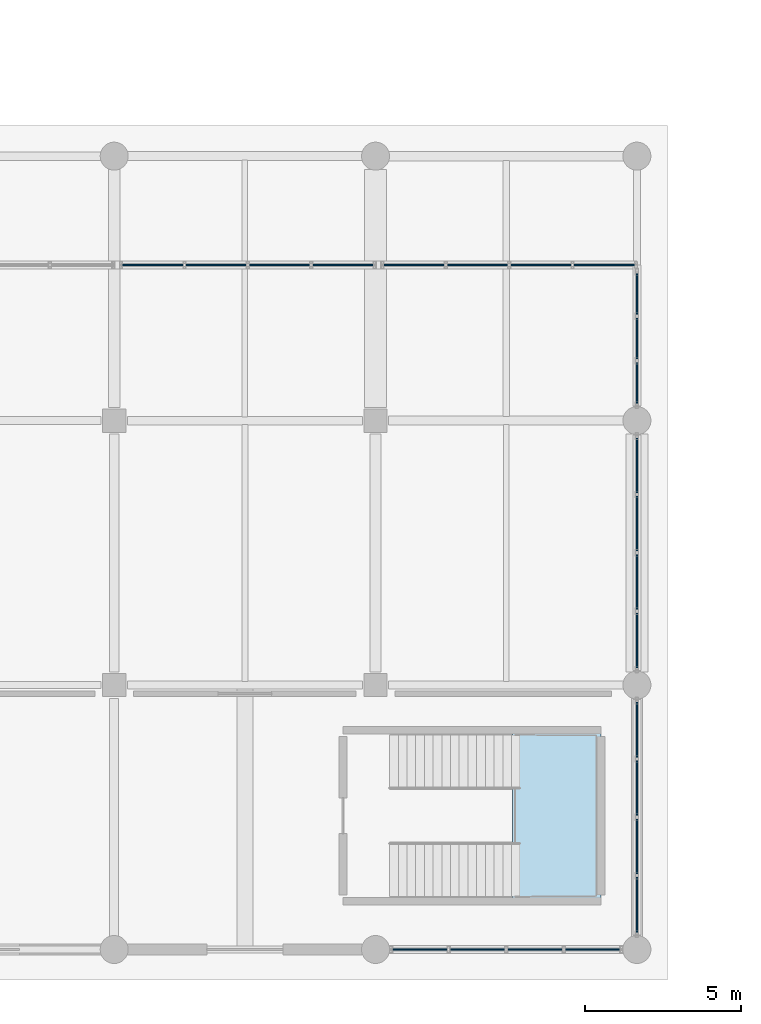
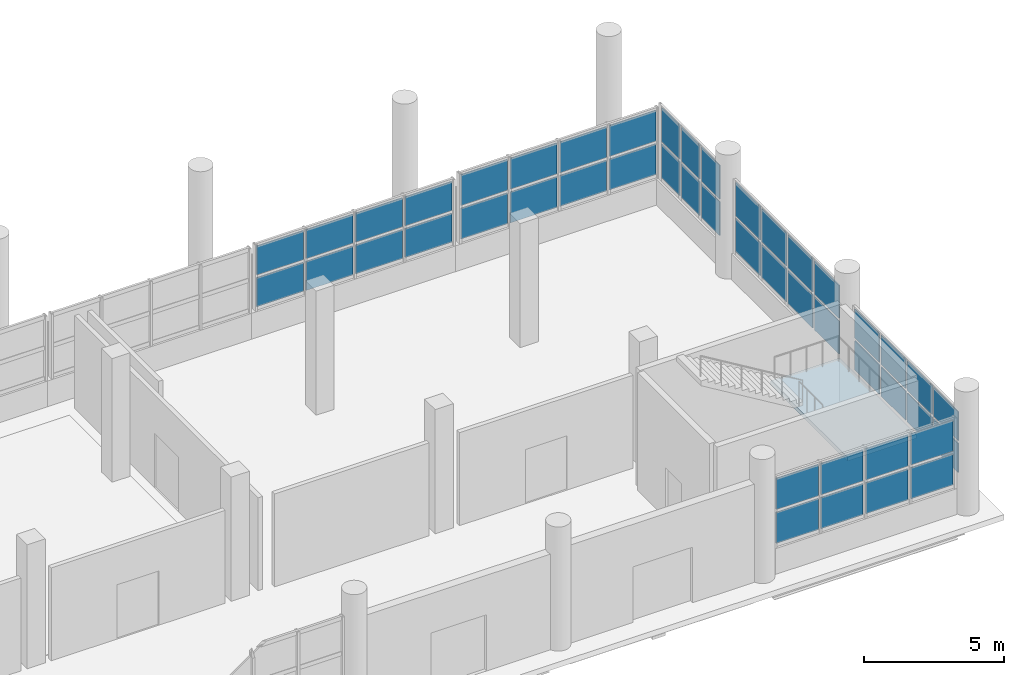
# One storey, part 82 of 107: 46 plates, 1 slab, 7 elements without a shape of their own.
"""IFC4 building model written with IfcOpenShell, lengths in metres."""

from ifc_helpers import new_model, si_unit, direction, frame, origin, origin_2d, place, context, subcontext, project, spatial, polyline, rectangle, outline, extrude, material, layer, layer_set, type_object, element, aggregate, save


model = new_model("IFC4")

# Units and contexts
model_context = context("Model", 3, precision=1e-05, world=origin(), true_north=direction((0.0, 1.0)))
body_context = subcontext(model_context, "Body", "Model", "MODEL_VIEW")
ifc_project = project(units=[si_unit("LENGTHUNIT", "METRE"), si_unit("AREAUNIT", "SQUARE_METRE"), si_unit("VOLUMEUNIT", "CUBIC_METRE"), si_unit("PLANEANGLEUNIT", "RADIAN"), si_unit("MASSUNIT", "GRAM", prefix="KILO")], contexts=[model_context])

# Site, building, storey
site_placement = place(None, origin())
site = spatial("IfcSite", under=ifc_project, at=site_placement, CompositionType="ELEMENT")
building_placement = place(site_placement, origin())
building = spatial("IfcBuilding", under=site, at=building_placement, Name="Solvento Point Concert Hall", CompositionType="ELEMENT")
storey_placement = place(building_placement, origin())
storey = spatial("IfcBuildingStorey", under=building, at=storey_placement, Name="L00", CompositionType="ELEMENT", Elevation=0.0)

# Curtain wall, plates
ifc_material_1 = material(Name="Anodized Bronze Aluminium", Category="aluminium")
curtain_wall_type = type_object("IfcCurtainWallType", Name="CurtainWall_CafeVeranda", PredefinedType="USERDEFINED", material=ifc_material_1)
curtain_wall_1_placement = place(storey_placement, origin())
curtain_wall_1 = element("IfcCurtainWall", 1, at=curtain_wall_1_placement, inside=storey, type_object=curtain_wall_type, Name="Unitised curtain wall CW-42 UCW-L00-044", ObjectType="UNITISED CURTAIN WALL", PredefinedType="USERDEFINED")
ifc_material_2 = material(Name="Hurricane Laminated Low-E Glass", Category="glass")
plate_type = type_object("IfcPlateType", Name="CurtainPanel_CafeVeranda", PredefinedType="CURTAIN_PANEL", material=ifc_material_2)
plate_1_placement = place(storey_placement, frame((193.23876953125, 22.0, 1.240234375), z_axis=(0.0, 0.0, 1.0), x_axis=(1.0, 0.0, 0.0)))
plate_1 = element("IfcPlate", 2, at=plate_1_placement, type_object=plate_type, Name="Glazed curtain panel GL-04", PredefinedType="CURTAIN_PANEL", context=body_context, shape_type="SweptSolid", body=[
    extrude(rectangle(XDim=1.91748046875, YDim=0.0400390625, at=origin_2d()), origin(), (0.0, 0.0, 1.0), 1.261962890625),
])
plate_2_placement = place(storey_placement, frame((193.23876953125, 22.0, 2.6220703125), z_axis=(0.0, 0.0, 1.0), x_axis=(1.0, 0.0, 0.0)))
plate_2 = element("IfcPlate", 3, at=plate_2_placement, type_object=plate_type, Name="Glazed curtain panel GL-04", PredefinedType="CURTAIN_PANEL", context=body_context, shape_type="SweptSolid", body=[
    extrude(rectangle(XDim=1.91748046875, YDim=0.0400390625, at=origin_2d()), origin(), (0.0, 0.0, 1.0), 1.261962890625),
])
plate_3_placement = place(storey_placement, frame((195.2763671875, 22.0, 1.240234375), z_axis=(0.0, 0.0, 1.0), x_axis=(1.0, 0.0, 0.0)))
plate_3 = element("IfcPlate", 4, at=plate_3_placement, type_object=plate_type, Name="Glazed curtain panel GL-04", PredefinedType="CURTAIN_PANEL", context=body_context, shape_type="SweptSolid", body=[
    extrude(rectangle(XDim=1.91748046875, YDim=0.0400390625, at=origin_2d()), origin(), (0.0, 0.0, 1.0), 1.261962890625),
])
plate_4_placement = place(storey_placement, frame((195.2763671875, 22.0, 2.6220703125), z_axis=(0.0, 0.0, 1.0), x_axis=(1.0, 0.0, 0.0)))
plate_4 = element("IfcPlate", 5, at=plate_4_placement, type_object=plate_type, Name="Glazed curtain panel GL-04", PredefinedType="CURTAIN_PANEL", context=body_context, shape_type="SweptSolid", body=[
    extrude(rectangle(XDim=1.91748046875, YDim=0.0400390625, at=origin_2d()), origin(), (0.0, 0.0, 1.0), 1.261962890625),
])
plate_5_placement = place(storey_placement, frame((197.313720703125, 22.0, 1.240234375), z_axis=(0.0, 0.0, 1.0), x_axis=(1.0, 0.0, 0.0)))
plate_5 = element("IfcPlate", 6, at=plate_5_placement, type_object=plate_type, Name="Glazed curtain panel GL-04", PredefinedType="CURTAIN_PANEL", context=body_context, shape_type="SweptSolid", body=[
    extrude(rectangle(XDim=1.91748046875, YDim=0.0400390625, at=origin_2d()), origin(), (0.0, 0.0, 1.0), 1.261962890625),
])
plate_6_placement = place(storey_placement, frame((197.313720703125, 22.0, 2.6220703125), z_axis=(0.0, 0.0, 1.0), x_axis=(1.0, 0.0, 0.0)))
plate_6 = element("IfcPlate", 7, at=plate_6_placement, type_object=plate_type, Name="Glazed curtain panel GL-04", PredefinedType="CURTAIN_PANEL", context=body_context, shape_type="SweptSolid", body=[
    extrude(rectangle(XDim=1.91748046875, YDim=0.0400390625, at=origin_2d()), origin(), (0.0, 0.0, 1.0), 1.261962890625),
])
plate_7_placement = place(storey_placement, frame((199.351318359375, 22.0, 1.240234375), z_axis=(0.0, 0.0, 1.0), x_axis=(1.0, 0.0, 0.0)))
plate_7 = element("IfcPlate", 8, at=plate_7_placement, type_object=plate_type, Name="Glazed curtain panel GL-04", PredefinedType="CURTAIN_PANEL", context=body_context, shape_type="SweptSolid", body=[
    extrude(rectangle(XDim=1.91748046875, YDim=0.0400390625, at=origin_2d()), origin(), (0.0, 0.0, 1.0), 1.261962890625),
])
plate_8_placement = place(storey_placement, frame((199.351318359375, 22.0, 2.6220703125), z_axis=(0.0, 0.0, 1.0), x_axis=(1.0, 0.0, 0.0)))
plate_8 = element("IfcPlate", 9, at=plate_8_placement, type_object=plate_type, Name="Glazed curtain panel GL-04", PredefinedType="CURTAIN_PANEL", context=body_context, shape_type="SweptSolid", body=[
    extrude(rectangle(XDim=1.91748046875, YDim=0.0400390625, at=origin_2d()), origin(), (0.0, 0.0, 1.0), 1.261962890625),
])
aggregate(curtain_wall_1, [plate_1, plate_2, plate_3, plate_4, plate_5, plate_6, plate_7, plate_8])

curtain_wall_2_placement = place(storey_placement, origin())
curtain_wall_2 = element("IfcCurtainWall", 10, at=curtain_wall_2_placement, inside=storey, type_object=curtain_wall_type, Name="Unitised curtain wall CW-42 UCW-L00-045", ObjectType="UNITISED CURTAIN WALL", PredefinedType="USERDEFINED")
plate_9_placement = place(storey_placement, frame((201.638916015625, 22.0, 1.23974609375), z_axis=(0.0, 0.0, 1.0), x_axis=(1.0, 0.0, 0.0)))
plate_9 = element("IfcPlate", 11, at=plate_9_placement, type_object=plate_type, Name="Glazed curtain panel GL-04", PredefinedType="CURTAIN_PANEL", context=body_context, shape_type="SweptSolid", body=[
    extrude(rectangle(XDim=1.91748046875, YDim=0.0400390625, at=origin_2d()), origin(), (0.0, 0.0, 1.0), 1.342041015625),
])
plate_10_placement = place(storey_placement, frame((201.638916015625, 22.0, 2.7021484375), z_axis=(0.0, 0.0, 1.0), x_axis=(1.0, 0.0, 0.0)))
plate_10 = element("IfcPlate", 12, at=plate_10_placement, type_object=plate_type, Name="Glazed curtain panel GL-04", PredefinedType="CURTAIN_PANEL", context=body_context, shape_type="SweptSolid", body=[
    extrude(rectangle(XDim=1.91748046875, YDim=0.0400390625, at=origin_2d()), origin(), (0.0, 0.0, 1.0), 1.342041015625),
])
plate_11_placement = place(storey_placement, frame((203.67626953125, 22.0, 1.23974609375), z_axis=(0.0, 0.0, 1.0), x_axis=(1.0, 0.0, 0.0)))
plate_11 = element("IfcPlate", 13, at=plate_11_placement, type_object=plate_type, Name="Glazed curtain panel GL-04", PredefinedType="CURTAIN_PANEL", context=body_context, shape_type="SweptSolid", body=[
    extrude(rectangle(XDim=1.91748046875, YDim=0.0400390625, at=origin_2d()), origin(), (0.0, 0.0, 1.0), 1.342041015625),
])
plate_12_placement = place(storey_placement, frame((203.67626953125, 22.0, 2.7021484375), z_axis=(0.0, 0.0, 1.0), x_axis=(1.0, 0.0, 0.0)))
plate_12 = element("IfcPlate", 14, at=plate_12_placement, type_object=plate_type, Name="Glazed curtain panel GL-04", PredefinedType="CURTAIN_PANEL", context=body_context, shape_type="SweptSolid", body=[
    extrude(rectangle(XDim=1.91748046875, YDim=0.0400390625, at=origin_2d()), origin(), (0.0, 0.0, 1.0), 1.342041015625),
])
plate_13_placement = place(storey_placement, frame((205.7138671875, 22.0, 1.23974609375), z_axis=(0.0, 0.0, 1.0), x_axis=(1.0, 0.0, 0.0)))
plate_13 = element("IfcPlate", 15, at=plate_13_placement, type_object=plate_type, Name="Glazed curtain panel GL-04", PredefinedType="CURTAIN_PANEL", context=body_context, shape_type="SweptSolid", body=[
    extrude(rectangle(XDim=1.91748046875, YDim=0.0400390625, at=origin_2d()), origin(), (0.0, 0.0, 1.0), 1.342041015625),
])
plate_14_placement = place(storey_placement, frame((205.7138671875, 22.0, 2.7021484375), z_axis=(0.0, 0.0, 1.0), x_axis=(1.0, 0.0, 0.0)))
plate_14 = element("IfcPlate", 16, at=plate_14_placement, type_object=plate_type, Name="Glazed curtain panel GL-04", PredefinedType="CURTAIN_PANEL", context=body_context, shape_type="SweptSolid", body=[
    extrude(rectangle(XDim=1.91748046875, YDim=0.0400390625, at=origin_2d()), origin(), (0.0, 0.0, 1.0), 1.342041015625),
])
plate_15_placement = place(storey_placement, frame((207.751220703125, 22.0, 1.23974609375), z_axis=(0.0, 0.0, 1.0), x_axis=(1.0, 0.0, 0.0)))
plate_15 = element("IfcPlate", 17, at=plate_15_placement, type_object=plate_type, Name="Glazed curtain panel GL-04", PredefinedType="CURTAIN_PANEL", context=body_context, shape_type="SweptSolid", body=[
    extrude(rectangle(XDim=1.91748046875, YDim=0.0400390625, at=origin_2d()), origin(), (0.0, 0.0, 1.0), 1.342041015625),
])
plate_16_placement = place(storey_placement, frame((207.751220703125, 22.0, 2.7021484375), z_axis=(0.0, 0.0, 1.0), x_axis=(1.0, 0.0, 0.0)))
plate_16 = element("IfcPlate", 18, at=plate_16_placement, type_object=plate_type, Name="Glazed curtain panel GL-04", PredefinedType="CURTAIN_PANEL", context=body_context, shape_type="SweptSolid", body=[
    extrude(rectangle(XDim=1.91748046875, YDim=0.0400390625, at=origin_2d()), origin(), (0.0, 0.0, 1.0), 1.342041015625),
])
aggregate(curtain_wall_2, [plate_9, plate_10, plate_11, plate_12, plate_13, plate_14, plate_15, plate_16])

curtain_wall_3_placement = place(storey_placement, origin())
curtain_wall_3 = element("IfcCurtainWall", 19, at=curtain_wall_3_placement, inside=storey, type_object=curtain_wall_type, Name="Unitised curtain wall CW-42 UCW-L00-046", ObjectType="UNITISED CURTAIN WALL", PredefinedType="USERDEFINED")
plate_17_placement = place(storey_placement, frame((208.800048828125, 1.4375, 1.240234375), z_axis=(0.0, 0.0, 1.0), x_axis=(0.0, 1.0, 0.0)))
plate_17 = element("IfcPlate", 20, at=plate_17_placement, type_object=plate_type, Name="Glazed curtain panel GL-04", PredefinedType="CURTAIN_PANEL", context=body_context, shape_type="SweptSolid", body=[
    extrude(rectangle(XDim=1.7548828125, YDim=0.0400390625, at=origin_2d()), origin(), (0.0, 0.0, 1.0), 1.261962890625),
])
plate_18_placement = place(storey_placement, frame((208.800048828125, 1.4375, 2.6220703125), z_axis=(0.0, 0.0, 1.0), x_axis=(0.0, 1.0, 0.0)))
plate_18 = element("IfcPlate", 21, at=plate_18_placement, type_object=plate_type, Name="Glazed curtain panel GL-04", PredefinedType="CURTAIN_PANEL", context=body_context, shape_type="SweptSolid", body=[
    extrude(rectangle(XDim=1.7548828125, YDim=0.0400390625, at=origin_2d()), origin(), (0.0, 0.0, 1.0), 1.261962890625),
])
plate_19_placement = place(storey_placement, frame((208.800048828125, 3.3125, 1.240234375), z_axis=(0.0, 0.0, 1.0), x_axis=(0.0, 1.0, 0.0)))
plate_19 = element("IfcPlate", 22, at=plate_19_placement, type_object=plate_type, Name="Glazed curtain panel GL-04", PredefinedType="CURTAIN_PANEL", context=body_context, shape_type="SweptSolid", body=[
    extrude(rectangle(XDim=1.7548828125, YDim=0.0400390625, at=origin_2d()), origin(), (0.0, 0.0, 1.0), 1.261962890625),
])
plate_20_placement = place(storey_placement, frame((208.800048828125, 3.3125, 2.6220703125), z_axis=(0.0, 0.0, 1.0), x_axis=(0.0, 1.0, 0.0)))
plate_20 = element("IfcPlate", 23, at=plate_20_placement, type_object=plate_type, Name="Glazed curtain panel GL-04", PredefinedType="CURTAIN_PANEL", context=body_context, shape_type="SweptSolid", body=[
    extrude(rectangle(XDim=1.7548828125, YDim=0.0400390625, at=origin_2d()), origin(), (0.0, 0.0, 1.0), 1.261962890625),
])
plate_21_placement = place(storey_placement, frame((208.800048828125, 5.1875, 1.240234375), z_axis=(0.0, 0.0, 1.0), x_axis=(0.0, 1.0, 0.0)))
plate_21 = element("IfcPlate", 24, at=plate_21_placement, type_object=plate_type, Name="Glazed curtain panel GL-04", PredefinedType="CURTAIN_PANEL", context=body_context, shape_type="SweptSolid", body=[
    extrude(rectangle(XDim=1.7548828125, YDim=0.0400390625, at=origin_2d()), origin(), (0.0, 0.0, 1.0), 1.261962890625),
])
plate_22_placement = place(storey_placement, frame((208.800048828125, 5.1875, 2.6220703125), z_axis=(0.0, 0.0, 1.0), x_axis=(0.0, 1.0, 0.0)))
plate_22 = element("IfcPlate", 25, at=plate_22_placement, type_object=plate_type, Name="Glazed curtain panel GL-04", PredefinedType="CURTAIN_PANEL", context=body_context, shape_type="SweptSolid", body=[
    extrude(rectangle(XDim=1.7548828125, YDim=0.0400390625, at=origin_2d()), origin(), (0.0, 0.0, 1.0), 1.261962890625),
])
plate_23_placement = place(storey_placement, frame((208.800048828125, 7.0625, 1.240234375), z_axis=(0.0, 0.0, 1.0), x_axis=(0.0, 1.0, 0.0)))
plate_23 = element("IfcPlate", 26, at=plate_23_placement, type_object=plate_type, Name="Glazed curtain panel GL-04", PredefinedType="CURTAIN_PANEL", context=body_context, shape_type="SweptSolid", body=[
    extrude(rectangle(XDim=1.7548828125, YDim=0.0400390625, at=origin_2d()), origin(), (0.0, 0.0, 1.0), 1.261962890625),
])
plate_24_placement = place(storey_placement, frame((208.800048828125, 7.0625, 2.6220703125), z_axis=(0.0, 0.0, 1.0), x_axis=(0.0, 1.0, 0.0)))
plate_24 = element("IfcPlate", 27, at=plate_24_placement, type_object=plate_type, Name="Glazed curtain panel GL-04", PredefinedType="CURTAIN_PANEL", context=body_context, shape_type="SweptSolid", body=[
    extrude(rectangle(XDim=1.7548828125, YDim=0.0400390625, at=origin_2d()), origin(), (0.0, 0.0, 1.0), 1.261962890625),
])
aggregate(curtain_wall_3, [plate_17, plate_18, plate_19, plate_20, plate_21, plate_22, plate_23, plate_24])

curtain_wall_4_placement = place(storey_placement, origin())
curtain_wall_4 = element("IfcCurtainWall", 28, at=curtain_wall_4_placement, inside=storey, type_object=curtain_wall_type, Name="Unitised curtain wall CW-42 UCW-L00-047", ObjectType="UNITISED CURTAIN WALL", PredefinedType="USERDEFINED")
plate_25_placement = place(storey_placement, frame((208.800048828125, 9.9375, 1.239990234375), z_axis=(0.0, 0.0, 1.0), x_axis=(0.0, 1.0, 0.0)))
plate_25 = element("IfcPlate", 29, at=plate_25_placement, type_object=plate_type, Name="Glazed curtain panel GL-04", PredefinedType="CURTAIN_PANEL", context=body_context, shape_type="SweptSolid", body=[
    extrude(rectangle(XDim=1.7548828125, YDim=0.0400390625, at=origin_2d()), origin(), (0.0, 0.0, 1.0), 1.43798828125),
])
plate_26_placement = place(storey_placement, frame((208.800048828125, 9.9375, 2.798095703125), z_axis=(0.0, 0.0, 1.0), x_axis=(0.0, 1.0, 0.0)))
plate_26 = element("IfcPlate", 30, at=plate_26_placement, type_object=plate_type, Name="Glazed curtain panel GL-04", PredefinedType="CURTAIN_PANEL", context=body_context, shape_type="SweptSolid", body=[
    extrude(rectangle(XDim=1.7548828125, YDim=0.0400390625, at=origin_2d()), origin(), (0.0, 0.0, 1.0), 1.43798828125),
])
plate_27_placement = place(storey_placement, frame((208.800048828125, 11.8125, 1.239990234375), z_axis=(0.0, 0.0, 1.0), x_axis=(0.0, 1.0, 0.0)))
plate_27 = element("IfcPlate", 31, at=plate_27_placement, type_object=plate_type, Name="Glazed curtain panel GL-04", PredefinedType="CURTAIN_PANEL", context=body_context, shape_type="SweptSolid", body=[
    extrude(rectangle(XDim=1.7548828125, YDim=0.0400390625, at=origin_2d()), origin(), (0.0, 0.0, 1.0), 1.43798828125),
])
plate_28_placement = place(storey_placement, frame((208.800048828125, 11.8125, 2.798095703125), z_axis=(0.0, 0.0, 1.0), x_axis=(0.0, 1.0, 0.0)))
plate_28 = element("IfcPlate", 32, at=plate_28_placement, type_object=plate_type, Name="Glazed curtain panel GL-04", PredefinedType="CURTAIN_PANEL", context=body_context, shape_type="SweptSolid", body=[
    extrude(rectangle(XDim=1.7548828125, YDim=0.0400390625, at=origin_2d()), origin(), (0.0, 0.0, 1.0), 1.43798828125),
])
plate_29_placement = place(storey_placement, frame((208.800048828125, 13.6875, 1.239990234375), z_axis=(0.0, 0.0, 1.0), x_axis=(0.0, 1.0, 0.0)))
plate_29 = element("IfcPlate", 33, at=plate_29_placement, type_object=plate_type, Name="Glazed curtain panel GL-04", PredefinedType="CURTAIN_PANEL", context=body_context, shape_type="SweptSolid", body=[
    extrude(rectangle(XDim=1.7548828125, YDim=0.0400390625, at=origin_2d()), origin(), (0.0, 0.0, 1.0), 1.43798828125),
])
plate_30_placement = place(storey_placement, frame((208.800048828125, 13.6875, 2.798095703125), z_axis=(0.0, 0.0, 1.0), x_axis=(0.0, 1.0, 0.0)))
plate_30 = element("IfcPlate", 34, at=plate_30_placement, type_object=plate_type, Name="Glazed curtain panel GL-04", PredefinedType="CURTAIN_PANEL", context=body_context, shape_type="SweptSolid", body=[
    extrude(rectangle(XDim=1.7548828125, YDim=0.0400390625, at=origin_2d()), origin(), (0.0, 0.0, 1.0), 1.43798828125),
])
plate_31_placement = place(storey_placement, frame((208.800048828125, 15.5625, 1.239990234375), z_axis=(0.0, 0.0, 1.0), x_axis=(0.0, 1.0, 0.0)))
plate_31 = element("IfcPlate", 35, at=plate_31_placement, type_object=plate_type, Name="Glazed curtain panel GL-04", PredefinedType="CURTAIN_PANEL", context=body_context, shape_type="SweptSolid", body=[
    extrude(rectangle(XDim=1.7548828125, YDim=0.0400390625, at=origin_2d()), origin(), (0.0, 0.0, 1.0), 1.43798828125),
])
plate_32_placement = place(storey_placement, frame((208.800048828125, 15.5625, 2.798095703125), z_axis=(0.0, 0.0, 1.0), x_axis=(0.0, 1.0, 0.0)))
plate_32 = element("IfcPlate", 36, at=plate_32_placement, type_object=plate_type, Name="Glazed curtain panel GL-04", PredefinedType="CURTAIN_PANEL", context=body_context, shape_type="SweptSolid", body=[
    extrude(rectangle(XDim=1.7548828125, YDim=0.0400390625, at=origin_2d()), origin(), (0.0, 0.0, 1.0), 1.43798828125),
])
aggregate(curtain_wall_4, [plate_25, plate_26, plate_27, plate_28, plate_29, plate_30, plate_31, plate_32])

curtain_wall_5_placement = place(storey_placement, origin())
curtain_wall_5 = element("IfcCurtainWall", 37, at=curtain_wall_5_placement, inside=storey, type_object=curtain_wall_type, Name="Unitised curtain wall CW-42 UCW-L00-048", ObjectType="UNITISED CURTAIN WALL", PredefinedType="USERDEFINED")
plate_33_placement = place(storey_placement, frame((208.800048828125, 18.21337890625, 1.240234375), z_axis=(0.0, 0.0, 1.0), x_axis=(0.0, 1.0, 0.0)))
plate_33 = element("IfcPlate", 38, at=plate_33_placement, type_object=plate_type, Name="Glazed curtain panel GL-04", PredefinedType="CURTAIN_PANEL", context=body_context, shape_type="SweptSolid", body=[
    extrude(rectangle(XDim=1.306640625, YDim=0.0400390625, at=origin_2d()), origin(), (0.0, 0.0, 1.0), 1.467529296875),
])
plate_34_placement = place(storey_placement, frame((208.800048828125, 18.21337890625, 2.82763671875), z_axis=(0.0, 0.0, 1.0), x_axis=(0.0, 1.0, 0.0)))
plate_34 = element("IfcPlate", 39, at=plate_34_placement, type_object=plate_type, Name="Glazed curtain panel GL-04", PredefinedType="CURTAIN_PANEL", context=body_context, shape_type="SweptSolid", body=[
    extrude(rectangle(XDim=1.306640625, YDim=0.0400390625, at=origin_2d()), origin(), (0.0, 0.0, 1.0), 1.467529296875),
])
plate_35_placement = place(storey_placement, frame((208.800048828125, 19.639892578125, 1.240234375), z_axis=(0.0, 0.0, 1.0), x_axis=(0.0, 1.0, 0.0)))
plate_35 = element("IfcPlate", 40, at=plate_35_placement, type_object=plate_type, Name="Glazed curtain panel GL-04", PredefinedType="CURTAIN_PANEL", context=body_context, shape_type="SweptSolid", body=[
    extrude(rectangle(XDim=1.306640625, YDim=0.0400390625, at=origin_2d()), origin(), (0.0, 0.0, 1.0), 1.467529296875),
])
plate_36_placement = place(storey_placement, frame((208.800048828125, 19.639892578125, 2.82763671875), z_axis=(0.0, 0.0, 1.0), x_axis=(0.0, 1.0, 0.0)))
plate_36 = element("IfcPlate", 41, at=plate_36_placement, type_object=plate_type, Name="Glazed curtain panel GL-04", PredefinedType="CURTAIN_PANEL", context=body_context, shape_type="SweptSolid", body=[
    extrude(rectangle(XDim=1.306640625, YDim=0.0400390625, at=origin_2d()), origin(), (0.0, 0.0, 1.0), 1.467529296875),
])
plate_37_placement = place(storey_placement, frame((208.800048828125, 21.066650390625, 1.240234375), z_axis=(0.0, 0.0, 1.0), x_axis=(0.0, 1.0, 0.0)))
plate_37 = element("IfcPlate", 42, at=plate_37_placement, type_object=plate_type, Name="Glazed curtain panel GL-04", PredefinedType="CURTAIN_PANEL", context=body_context, shape_type="SweptSolid", body=[
    extrude(rectangle(XDim=1.306640625, YDim=0.0400390625, at=origin_2d()), origin(), (0.0, 0.0, 1.0), 1.467529296875),
])
plate_38_placement = place(storey_placement, frame((208.800048828125, 21.066650390625, 2.82763671875), z_axis=(0.0, 0.0, 1.0), x_axis=(0.0, 1.0, 0.0)))
plate_38 = element("IfcPlate", 43, at=plate_38_placement, type_object=plate_type, Name="Glazed curtain panel GL-04", PredefinedType="CURTAIN_PANEL", context=body_context, shape_type="SweptSolid", body=[
    extrude(rectangle(XDim=1.306640625, YDim=0.0400390625, at=origin_2d()), origin(), (0.0, 0.0, 1.0), 1.467529296875),
])
aggregate(curtain_wall_5, [plate_33, plate_34, plate_35, plate_36, plate_37, plate_38])

curtain_wall_6_placement = place(storey_placement, origin())
curtain_wall_6 = element("IfcCurtainWall", 44, at=curtain_wall_6_placement, inside=storey, type_object=curtain_wall_type, Name="Unitised curtain wall CW-42 UCW-L00-051", ObjectType="UNITISED CURTAIN WALL", PredefinedType="USERDEFINED")
plate_39_placement = place(storey_placement, frame((201.824951171875, 0.0, 1.239990234375), z_axis=(0.0, 0.0, 1.0), x_axis=(1.0, 0.0, 0.0)))
plate_39 = element("IfcPlate", 45, at=plate_39_placement, type_object=plate_type, Name="Glazed curtain panel GL-04", PredefinedType="CURTAIN_PANEL", context=body_context, shape_type="SweptSolid", body=[
    extrude(rectangle(XDim=1.72998046875, YDim=0.0400390625, at=origin_2d()), origin(), (0.0, 0.0, 1.0), 1.35693359375),
])
plate_40_placement = place(storey_placement, frame((201.824951171875, 0.0, 2.717041015625), z_axis=(0.0, 0.0, 1.0), x_axis=(1.0, 0.0, 0.0)))
plate_40 = element("IfcPlate", 46, at=plate_40_placement, type_object=plate_type, Name="Glazed curtain panel GL-04", PredefinedType="CURTAIN_PANEL", context=body_context, shape_type="SweptSolid", body=[
    extrude(rectangle(XDim=1.72998046875, YDim=0.0400390625, at=origin_2d()), origin(), (0.0, 0.0, 1.0), 1.35693359375),
])
plate_41_placement = place(storey_placement, frame((203.675048828125, 0.0, 1.239990234375), z_axis=(0.0, 0.0, 1.0), x_axis=(1.0, 0.0, 0.0)))
plate_41 = element("IfcPlate", 47, at=plate_41_placement, type_object=plate_type, Name="Glazed curtain panel GL-04", PredefinedType="CURTAIN_PANEL", context=body_context, shape_type="SweptSolid", body=[
    extrude(rectangle(XDim=1.72998046875, YDim=0.0400390625, at=origin_2d()), origin(), (0.0, 0.0, 1.0), 1.35693359375),
])
plate_42_placement = place(storey_placement, frame((203.675048828125, 0.0, 2.717041015625), z_axis=(0.0, 0.0, 1.0), x_axis=(1.0, 0.0, 0.0)))
plate_42 = element("IfcPlate", 48, at=plate_42_placement, type_object=plate_type, Name="Glazed curtain panel GL-04", PredefinedType="CURTAIN_PANEL", context=body_context, shape_type="SweptSolid", body=[
    extrude(rectangle(XDim=1.72998046875, YDim=0.0400390625, at=origin_2d()), origin(), (0.0, 0.0, 1.0), 1.35693359375),
])
plate_43_placement = place(storey_placement, frame((205.52490234375, 0.0, 1.239990234375), z_axis=(0.0, 0.0, 1.0), x_axis=(1.0, 0.0, 0.0)))
plate_43 = element("IfcPlate", 49, at=plate_43_placement, type_object=plate_type, Name="Glazed curtain panel GL-04", PredefinedType="CURTAIN_PANEL", context=body_context, shape_type="SweptSolid", body=[
    extrude(rectangle(XDim=1.72998046875, YDim=0.0400390625, at=origin_2d()), origin(), (0.0, 0.0, 1.0), 1.35693359375),
])
plate_44_placement = place(storey_placement, frame((205.52490234375, 0.0, 2.717041015625), z_axis=(0.0, 0.0, 1.0), x_axis=(1.0, 0.0, 0.0)))
plate_44 = element("IfcPlate", 50, at=plate_44_placement, type_object=plate_type, Name="Glazed curtain panel GL-04", PredefinedType="CURTAIN_PANEL", context=body_context, shape_type="SweptSolid", body=[
    extrude(rectangle(XDim=1.72998046875, YDim=0.0400390625, at=origin_2d()), origin(), (0.0, 0.0, 1.0), 1.35693359375),
])
plate_45_placement = place(storey_placement, frame((207.375, 0.0, 1.239990234375), z_axis=(0.0, 0.0, 1.0), x_axis=(1.0, 0.0, 0.0)))
plate_45 = element("IfcPlate", 51, at=plate_45_placement, type_object=plate_type, Name="Glazed curtain panel GL-04", PredefinedType="CURTAIN_PANEL", context=body_context, shape_type="SweptSolid", body=[
    extrude(rectangle(XDim=1.72998046875, YDim=0.0400390625, at=origin_2d()), origin(), (0.0, 0.0, 1.0), 1.35693359375),
])
plate_46_placement = place(storey_placement, frame((207.375, 0.0, 2.717041015625), z_axis=(0.0, 0.0, 1.0), x_axis=(1.0, 0.0, 0.0)))
plate_46 = element("IfcPlate", 52, at=plate_46_placement, type_object=plate_type, Name="Glazed curtain panel GL-04", PredefinedType="CURTAIN_PANEL", context=body_context, shape_type="SweptSolid", body=[
    extrude(rectangle(XDim=1.72998046875, YDim=0.0400390625, at=origin_2d()), origin(), (0.0, 0.0, 1.0), 1.35693359375),
])
aggregate(curtain_wall_6, [plate_39, plate_40, plate_41, plate_42, plate_43, plate_44, plate_45, plate_46])

# Stair, slab
ifc_material_3 = material(Name="Concrete C35/45", Category="concrete")
stair_type = type_object("IfcStairType", Name="CoreStair_1760", PredefinedType="HALF_TURN_STAIR", material=ifc_material_3)
stair_placement = place(storey_placement, origin())
stair = element("IfcStair", 53, at=stair_placement, inside=storey, type_object=stair_type, Name="Protected exit stair ST-09 (L00 to L01)", PredefinedType="HALF_TURN_STAIR")
ifc_material_4 = material(Name="Concrete C35/45", Category="concrete")
ifc_layer = layer(ifc_material_4, 0.179931640625)
ifc_layer_set = layer_set([ifc_layer], Name="Concrete C35/45")
slab_type = type_object("IfcSlabType", Name="StairLanding_180", PredefinedType="LANDING", material=ifc_layer_set)
slab_placement = place(storey_placement, frame((0.0, 0.0, 2.52001953125)))
slab = element("IfcSlab", 54, at=slab_placement, type_object=slab_type, Name="Stair half-landing ST-09 L00", PredefinedType="LANDING", context=body_context, shape_type="SweptSolid", body=[
    extrude(outline(polyline([(204.800048828125, 1.56005859375), (207.639892578125, 1.56005859375), (207.639892578125, 7.0400390625), (204.800048828125, 7.0400390625), (204.800048828125, 1.56005859375)])), origin(), (0.0, 0.0, 1.0), 0.179931640625),
])
aggregate(stair, [slab])

save(model, "model.ifc")
